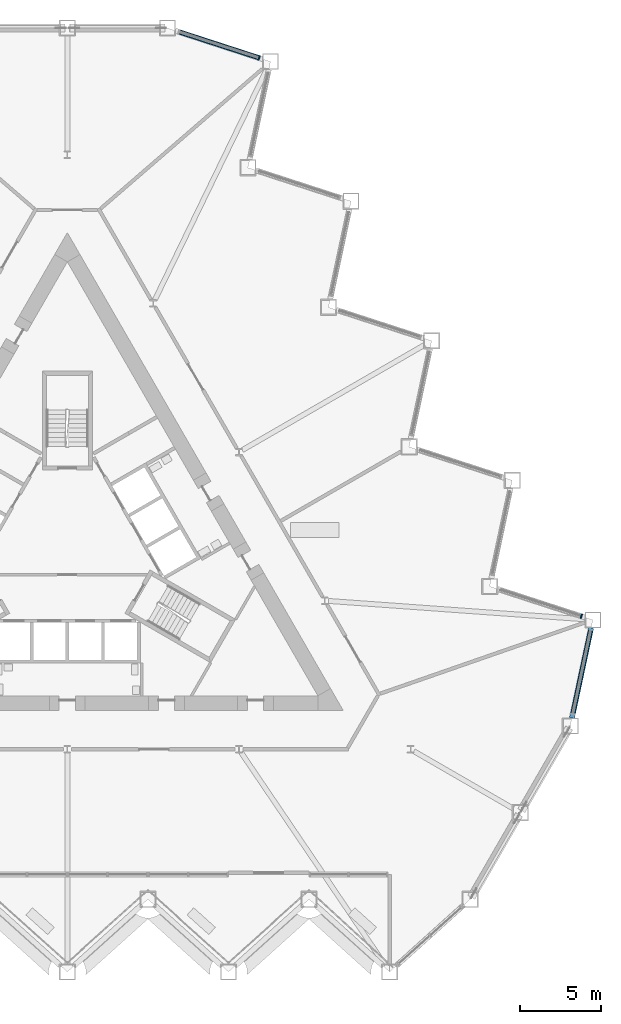
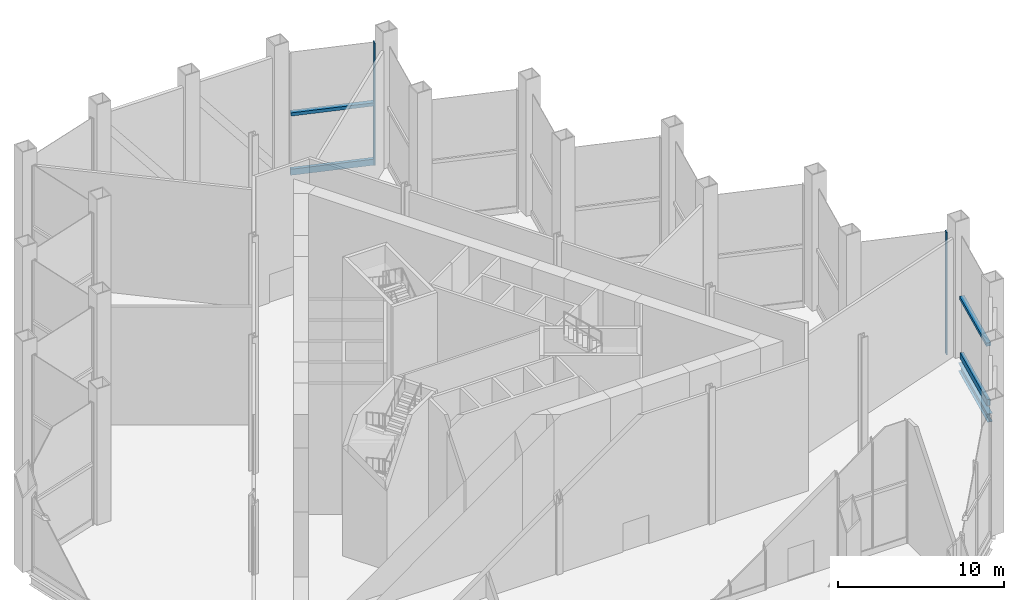
# One storey, part 5 of 17: 6 members, 1 beam, 1 element without a shape of its own.
"""IFC4 building model written with IfcOpenShell, lengths in metres."""

from ifc_helpers import new_model, si_unit, direction, frame, origin, origin_2d, place, context, subcontext, project, spatial, rectangle, i_section, extrude, material, layer, layer_set, material_profile, profile_set, type_object, element, aggregate, save


model = new_model("IFC4")

# Units and contexts
model_context = context("Model", 3, precision=1e-05, world=origin(), true_north=direction((0.0, 1.0)))
body_context = subcontext(model_context, "Body", "Model", "MODEL_VIEW")
ifc_project = project(units=[si_unit("LENGTHUNIT", "METRE"), si_unit("AREAUNIT", "SQUARE_METRE"), si_unit("VOLUMEUNIT", "CUBIC_METRE"), si_unit("PLANEANGLEUNIT", "RADIAN"), si_unit("MASSUNIT", "GRAM", prefix="KILO")], contexts=[model_context])

# Site, building, storey
site_placement = place(None, origin())
site = spatial("IfcSite", under=ifc_project, at=site_placement, CompositionType="ELEMENT")
building_placement = place(site_placement, origin())
building = spatial("IfcBuilding", under=site, at=building_placement, Name="Cormorant Prow Tower", CompositionType="ELEMENT")
storey_placement = place(building_placement, frame((0.0, 0.0, 84.60009765625)))
storey = spatial("IfcBuildingStorey", under=building, at=storey_placement, Name="L18", CompositionType="ELEMENT", Elevation=84.60009765625)

# Curtain wall, members
ifc_material_1 = material(Name="Aluminium 6063-T6", Category="aluminium")
ifc_layer = layer(ifc_material_1, 0.300048828125)
ifc_layer_set = layer_set([ifc_layer], Name="Aluminium 6063-T6")
curtain_wall_type = type_object("IfcCurtainWallType", Name="Sky lobby unitised curtain wall 300", PredefinedType="NOTDEFINED", material=ifc_layer_set)
curtain_wall_placement = place(storey_placement, origin())
curtain_wall = element("IfcCurtainWall", 1, at=curtain_wall_placement, inside=storey, type_object=curtain_wall_type, Name="Sky lobby curtain wall ENE00-ENE09", PredefinedType="NOTDEFINED")
ifc_material_2 = material(Name="Aluminium 6063-T6", Category="aluminium")
ifc_material_profile_1 = material_profile(ifc_material_2, rectangle(XDim=0.300048828125, YDim=0.239990234375, at=origin_2d()), Name="Sky lobby intermediate transom 300x240")
ifc_profile_set_1 = profile_set([ifc_material_profile_1], Name="Aluminium 6063-T6")
member_type_1 = type_object("IfcMemberType", Name="Sky lobby intermediate transom 300x240", PredefinedType="USERDEFINED", material=ifc_profile_set_1)
member_1_placement = place(storey_placement, frame((31.162841796875, -10.0078125, 4.494384765625), z_axis=(0.207892469327, 0.97815168619, 0.0), x_axis=(-0.97815168619, 0.207892469327, 0.0)))
member_1 = element("IfcMember", 2, at=member_1_placement, type_object=member_type_1, Name="Sky lobby intermediate transom ENE00-ENE09", ObjectType="TRANSOM", PredefinedType="USERDEFINED", context=body_context, shape_type="SweptSolid", body=[
    extrude(rectangle(XDim=0.300048828125, YDim=0.239990234375, at=origin_2d()), origin(), (0.0, 0.0, 1.0), 5.196533203125),
])
member_2_placement = place(storey_placement, frame((11.780517578125, 30.41064453125, 4.494384765625), z_axis=(-0.951060714537, 0.309004073216, 0.0), x_axis=(-0.309004073216, -0.951060714537, 0.0)))
member_2 = element("IfcMember", 3, at=member_2_placement, type_object=member_type_1, Name="Sky lobby intermediate transom ENE00-ENE09", ObjectType="TRANSOM", PredefinedType="USERDEFINED", context=body_context, shape_type="SweptSolid", body=[
    extrude(rectangle(XDim=0.300048828125, YDim=0.239990234375, at=origin_2d()), origin(), (0.0, 0.0, 1.0), 5.11669921875),
])
ifc_material_3 = material(Name="Aluminium 6063-T6", Category="aluminium")
ifc_material_profile_2 = material_profile(ifc_material_3, rectangle(XDim=0.300048828125, YDim=0.080078125, at=origin_2d()), Name="Sky lobby mullion 80x300")
ifc_profile_set_2 = profile_set([ifc_material_profile_2], Name="Aluminium 6063-T6")
member_type_2 = type_object("IfcMemberType", Name="Sky lobby mullion 80x300", PredefinedType="MULLION", material=ifc_profile_set_2)
member_3_placement = place(storey_placement, frame((31.6826171875, -4.007568359375, 0.0), z_axis=(0.0, 0.0, 1.0), x_axis=(-0.309016952512, -0.951056529897, 0.0)))
member_3 = element("IfcMember", 4, at=member_3_placement, type_object=member_type_2, Name="Sky lobby mullion ENE00-ENE09", PredefinedType="MULLION", context=body_context, shape_type="SweptSolid", body=[
    extrude(rectangle(XDim=0.300048828125, YDim=0.080078125, at=origin_2d()), origin(), (0.0, 0.0, 1.0), 8.98876953125),
])
member_4_placement = place(storey_placement, frame((11.818359375, 30.398193359375, 0.0), z_axis=(0.0, 0.0, 1.0), x_axis=(-0.309016952512, -0.951056529897, 0.0)))
member_4 = element("IfcMember", 5, at=member_4_placement, type_object=member_type_2, Name="Sky lobby mullion ENE00-ENE09", PredefinedType="MULLION", context=body_context, shape_type="SweptSolid", body=[
    extrude(rectangle(XDim=0.300048828125, YDim=0.080078125, at=origin_2d()), origin(), (0.0, 0.0, 1.0), 8.98876953125),
])
ifc_material_4 = material(Name="Terracotta", Category="masonry")
ifc_material_profile_3 = material_profile(ifc_material_4, rectangle(XDim=0.219970703125, YDim=0.449951171875, at=origin_2d()), Name="Sky lobby terracotta spandrel rail 220x450")
ifc_profile_set_3 = profile_set([ifc_material_profile_3], Name="Terracotta")
member_type_3 = type_object("IfcMemberType", Name="Sky lobby terracotta spandrel rail 220x450", PredefinedType="USERDEFINED", material=ifc_profile_set_3)
member_5_placement = place(storey_placement, frame((31.162841796875, -10.0078125, 0.224853515625), z_axis=(0.207892469327, 0.97815168619, 0.0), x_axis=(-0.97815168619, 0.207892469327, 0.0)))
member_5 = element("IfcMember", 6, at=member_5_placement, type_object=member_type_3, Name="Sky lobby spandrel rail ENE00-ENE09", ObjectType="TRANSOM", PredefinedType="USERDEFINED", context=body_context, shape_type="SweptSolid", body=[
    extrude(rectangle(XDim=0.219970703125, YDim=0.449951171875, at=origin_2d()), origin(), (0.0, 0.0, 1.0), 5.196533203125),
])
member_6_placement = place(storey_placement, frame((11.780517578125, 30.41064453125, 0.224853515625), z_axis=(-0.951060714537, 0.309004073216, 0.0), x_axis=(-0.309004073216, -0.951060714537, 0.0)))
member_6 = element("IfcMember", 7, at=member_6_placement, type_object=member_type_3, Name="Sky lobby spandrel rail ENE00-ENE09", ObjectType="TRANSOM", PredefinedType="USERDEFINED", context=body_context, shape_type="SweptSolid", body=[
    extrude(rectangle(XDim=0.219970703125, YDim=0.449951171875, at=origin_2d()), origin(), (0.0, 0.0, 1.0), 5.11669921875),
])
aggregate(curtain_wall, [member_5, member_1, member_3, member_4, member_6, member_2])

# Beam
ifc_material_5 = material(Name="Structural steel ASTM A992 Gr 50", Category="steel")
ifc_material_profile_4 = material_profile(ifc_material_5, i_section(OverallWidth=0.32373046875, OverallDepth=0.611083984375, WebThickness=0.0126953125, FlangeThickness=0.01904296875, at=origin_2d()), Name="W24x104")
ifc_profile_set_4 = profile_set([ifc_material_profile_4], Name="Structural steel ASTM A992 Gr 50")
beam_type = type_object("IfcBeamType", Name="Spandrel beam W24x104", PredefinedType="SPANDREL", material=ifc_profile_set_4)
beam_placement = place(storey_placement, frame((31.10400390625, -10.28466796875, -0.70556640625), z_axis=(0.207900376723, 0.97815000555, 0.0), x_axis=(-0.97815000555, 0.207900376723, 0.0)))
element("IfcBeam", 8, at=beam_placement, inside=storey, type_object=beam_type, Name="Spandrel beam SB1 ENE00-ENE01 L18", PredefinedType="SPANDREL", context=body_context, shape_type="SweptSolid", body=[
    extrude(i_section(OverallWidth=0.32373046875, OverallDepth=0.611083984375, WebThickness=0.0126953125, FlangeThickness=0.01904296875, at=origin_2d()), origin(), (0.0, 0.0, 1.0), 5.6826171875),
])

save(model, "model.ifc")
